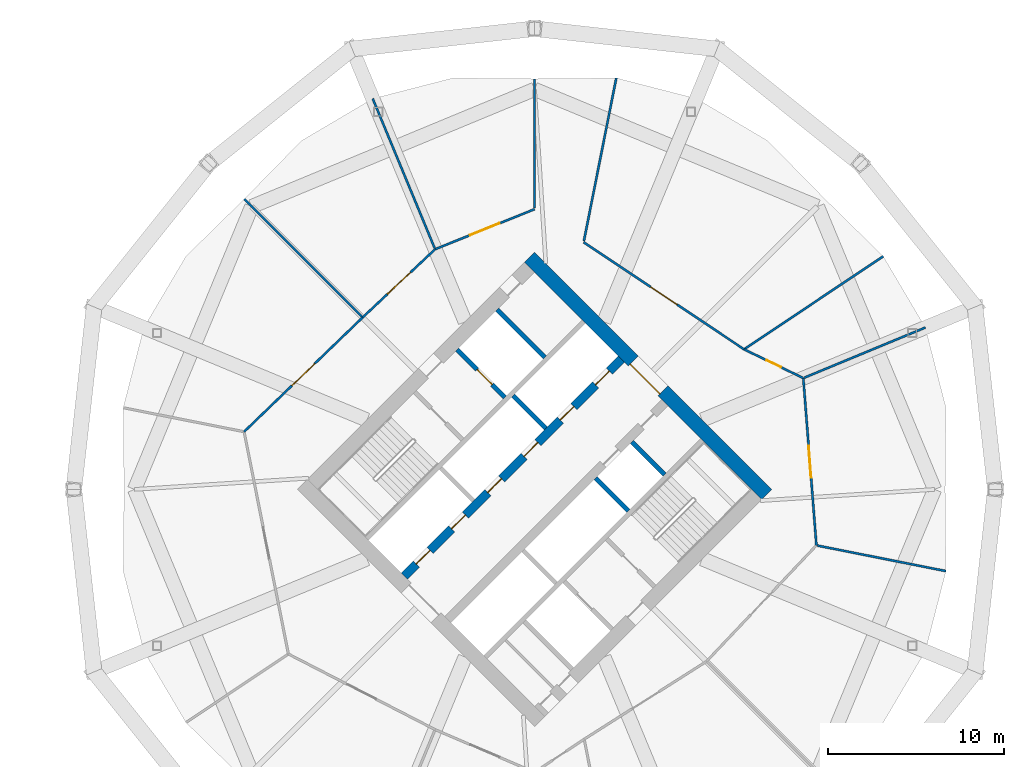
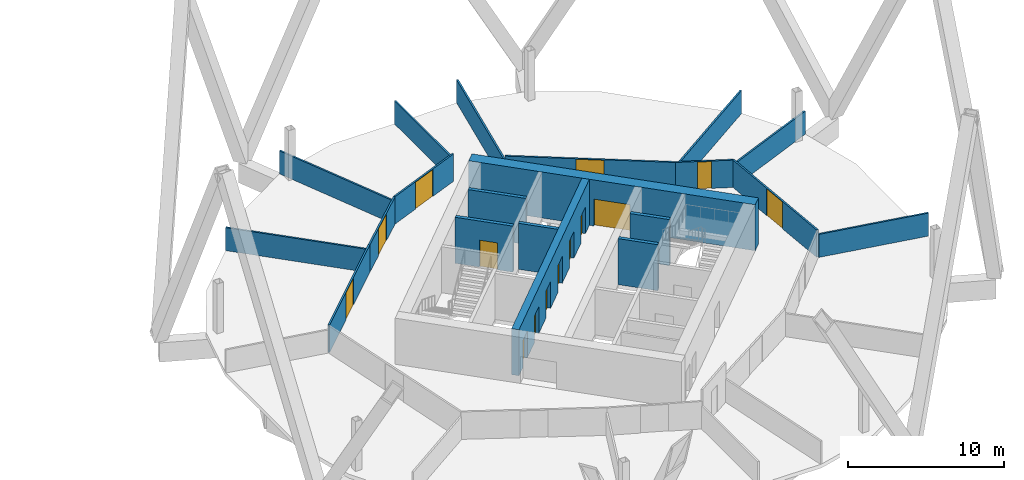
# One storey, part 7 of 9: 20 walls, 14 doors, 14 openings.
"""IFC4 building model written with IfcOpenShell, lengths in metres."""

from ifc_helpers import new_model, si_unit, direction, frame, frame_2d, origin, place, context, subcontext, project, spatial, rectangle, extrude, material, layer, layer_set, type_object, element, fill, save


model = new_model("IFC4")

# Units and contexts
model_context = context("Model", 3, precision=1e-05, world=origin(), true_north=direction((0.0, 1.0)))
body_context = subcontext(model_context, "Body", "Model", "MODEL_VIEW")
ifc_project = project(units=[si_unit("LENGTHUNIT", "METRE"), si_unit("AREAUNIT", "SQUARE_METRE"), si_unit("VOLUMEUNIT", "CUBIC_METRE"), si_unit("PLANEANGLEUNIT", "RADIAN"), si_unit("MASSUNIT", "GRAM", prefix="KILO")], contexts=[model_context])

# Site, building, storey
site_placement = place(None, origin())
site = spatial("IfcSite", under=ifc_project, at=site_placement, CompositionType="ELEMENT")
building_placement = place(site_placement, origin())
building = spatial("IfcBuilding", under=site, at=building_placement, Name="Ogive Gate Towers", CompositionType="ELEMENT")
storey_placement = place(building_placement, frame((0.0, 0.0, 95.699951171875)))
storey = spatial("IfcBuildingStorey", under=building, at=storey_placement, Name="L22", CompositionType="ELEMENT", Elevation=95.699951171875)

# Wall, opening, door
ifc_material_1 = material(Name="Concrete C60/75", Category="concrete")
ifc_layer_1 = layer(ifc_material_1, 0.800048828125)
ifc_layer_set_1 = layer_set([ifc_layer_1], Name="Core wall 800 mm")
wall_type_1 = type_object("IfcWallType", Name="Core wall 800 mm", PredefinedType="SHEAR", material=ifc_layer_set_1)
wall_1_placement = place(storey_placement, frame((49.152099609375, -0.28271484375, 0.0), z_axis=(0.0, 0.0, 1.0), x_axis=(-0.707106781187, 0.707106781187, 0.0)))
wall_1 = element("IfcWall", 1, at=wall_1_placement, inside=storey, type_object=wall_type_1, Name="T2 L22 Core wall 800 mm", PredefinedType="SHEAR", context=body_context, shape_type="SweptSolid", body=[
    extrude(rectangle(XDim=18.999755859375, YDim=0.800048828125, at=frame_2d((9.5, 0.0))), origin(), (0.0, 0.0, 1.0), 3.60009765625),
])
opening_1_placement = place(wall_1_placement, frame((8.300048828125, 0.0, 0.0)))
opening_1 = element("IfcOpeningElement", 2, at=opening_1_placement, cuts=wall_1, Name="Opening KD-T2-L22-02", PredefinedType="OPENING", context=body_context, shape_type="SweptSolid", body=[
    extrude(rectangle(XDim=2.39990234375, YDim=2.10009765625, at=frame_2d((1.199951171875, 1.050048828125))), frame((0.0, 0.41015625, 0.0), z_axis=(0.0, -1.0, 0.0), x_axis=(1.0, 0.0, 0.0)), (0.0, 0.0, 1.0), 0.820068359375),
])
ifc_material_2 = material(Name="Steel fire door", Category="steel")
door_type_1 = type_object("IfcDoorType", Name="Core double door FD60S 2400 x 2100", OperationType="DOUBLE_DOOR_SINGLE_SWING", PredefinedType="DOOR", material=ifc_material_2)
door_1_placement = place(opening_1_placement, origin())
door_1 = element("IfcDoor", 3, at=door_1_placement, inside=storey, type_object=door_type_1, Name="T2 L22 Core door double", OperationType="DOUBLE_DOOR_SINGLE_SWING", OverallHeight=2.10009765625, OverallWidth=2.39990234375, PredefinedType="DOOR", context=body_context, shape_type="SweptSolid", body=[
    extrude(rectangle(XDim=2.39990234375, YDim=2.10009765625, at=frame_2d((1.199951171875, 1.050048828125))), frame((0.0, 0.27490234375, 0.0), z_axis=(0.0, -1.0, 0.0), x_axis=(1.0, 0.0, 0.0)), (0.0, 0.0, 1.0), 0.050048828125),
])
fill(opening_1, door_1)

# Walls
ifc_material_3 = material(Name="Gypsum board partition")
ifc_layer_2 = layer(ifc_material_3, 0.125)
ifc_layer_set_2 = layer_set([ifc_layer_2], Name="Partition 125")
wall_type_2 = type_object("IfcWallType", Name="Partition 125", PredefinedType="PARTITIONING", material=ifc_layer_set_2)
wall_2_placement = place(storey_placement, frame((58.1455078125, 9.1728515625, 0.0), z_axis=(0.0, 0.0, 1.0), x_axis=(-0.923879380102, -0.382683800313, 0.0)))
element("IfcWall", 4, at=wall_2_placement, inside=storey, type_object=wall_type_2, Name="Partition T2-L22-001", PredefinedType="PARTITIONING", context=body_context, shape_type="SweptSolid", body=[
    extrude(rectangle(XDim=7.42529296875, YDim=0.125, at=frame_2d((3.712646484375, 0.0))), origin(), (0.0, 0.0, 1.0), 1.800048828125),
])
wall_3_placement = place(storey_placement, frame((55.759521484375, 13.2119140625, 0.0), z_axis=(0.0, 0.0, 1.0), x_axis=(-0.831300345147, -0.555823475717, 0.0)))
element("IfcWall", 5, at=wall_3_placement, inside=storey, type_object=wall_type_2, Name="Partition T2-L22-002", PredefinedType="PARTITIONING", context=body_context, shape_type="SweptSolid", body=[
    extrude(rectangle(XDim=9.42529296875, YDim=0.125, at=frame_2d((4.712646484375, 0.0))), origin(), (0.0, 0.0, 1.0), 1.800048828125),
])
wall_4_placement = place(storey_placement, frame((40.6298828125, 23.314208984375, 0.0), z_axis=(0.0, 0.0, 1.0), x_axis=(-0.194790915592, -0.980844788538, 0.0)))
element("IfcWall", 6, at=wall_4_placement, inside=storey, type_object=wall_type_2, Name="Partition T2-L22-003", PredefinedType="PARTITIONING", context=body_context, shape_type="SweptSolid", body=[
    extrude(rectangle(XDim=9.425048828125, YDim=0.125, at=frame_2d((4.71240234375, 0.0))), origin(), (0.0, 0.0, 1.0), 1.800048828125),
])
wall_5_placement = place(storey_placement, frame((36.0, 23.26904296875, 0.0), z_axis=(0.0, 0.0, 1.0), x_axis=(0.0, -1.0, 0.0)))
element("IfcWall", 7, at=wall_5_placement, inside=storey, type_object=wall_type_2, Name="Partition T2-L22-004", PredefinedType="PARTITIONING", context=body_context, shape_type="SweptSolid", body=[
    extrude(rectangle(XDim=7.32666015625, YDim=0.125, at=frame_2d((3.663330078125, 0.0))), origin(), (0.0, 0.0, 1.0), 1.800048828125),
])
wall_6_placement = place(storey_placement, frame((26.8271484375, 22.1455078125, 0.0), z_axis=(0.0, 0.0, 1.0), x_axis=(0.382685496895, -0.923878677352, 0.0)))
element("IfcWall", 8, at=wall_6_placement, inside=storey, type_object=wall_type_2, Name="Partition T2-L22-005", PredefinedType="PARTITIONING", context=body_context, shape_type="SweptSolid", body=[
    extrude(rectangle(XDim=9.17529296875, YDim=0.125, at=frame_2d((4.587646484375, 0.0))), origin(), (0.0, 0.0, 1.0), 1.800048828125),
])
wall_7_placement = place(storey_placement, frame((19.54638671875, 16.45361328125, 0.0), z_axis=(0.0, 0.0, 1.0), x_axis=(0.707106781187, -0.707106781187, 0.0)))
element("IfcWall", 9, at=wall_7_placement, inside=storey, type_object=wall_type_2, Name="Partition T2-L22-006", PredefinedType="PARTITIONING", context=body_context, shape_type="SweptSolid", body=[
    extrude(rectangle(XDim=9.425048828125, YDim=0.125, at=frame_2d((4.71240234375, 0.0))), origin(), (0.0, 0.0, 1.0), 1.800048828125),
])
wall_8_placement = place(storey_placement, frame((59.314208984375, -4.6298828125, 0.0), z_axis=(0.0, 0.0, 1.0), x_axis=(-0.980846602805, 0.19478177986, 0.0)))
element("IfcWall", 10, at=wall_8_placement, inside=storey, type_object=wall_type_2, Name="Partition T2-L22-013", PredefinedType="PARTITIONING", context=body_context, shape_type="SweptSolid", body=[
    extrude(rectangle(XDim=7.42529296875, YDim=0.125, at=frame_2d((3.712646484375, 0.0))), origin(), (0.0, 0.0, 1.0), 1.800048828125),
])

# Wall, opening, door
wall_9_placement = place(storey_placement, frame((36.0, 15.8798828125, 0.0), z_axis=(0.0, 0.0, 1.0), x_axis=(-0.927682193626, -0.373370791077, 0.0)))
wall_9 = element("IfcWall", 11, at=wall_9_placement, inside=storey, type_object=wall_type_2, Name="Partition T2-L22-014", PredefinedType="PARTITIONING", context=body_context, shape_type="SweptSolid", body=[
    extrude(rectangle(XDim=6.0771484375, YDim=0.125, at=frame_2d((3.03857421875, 0.0))), origin(), (0.0, 0.0, 1.0), 2.14013671875),
])
opening_2_placement = place(wall_9_placement, frame((2.138916015625, 0.0, 0.0)))
opening_2 = element("IfcOpeningElement", 12, at=opening_2_placement, cuts=wall_9, Name="Opening T2-L22-D01", PredefinedType="OPENING", context=body_context, shape_type="SweptSolid", body=[
    extrude(rectangle(XDim=1.800048828125, YDim=2.10009765625, at=frame_2d((0.89990234375, 1.050048828125))), frame((0.0, 0.072509765625, 0.0), z_axis=(0.0, -1.0, 0.0), x_axis=(1.0, 0.0, 0.0)), (0.0, 0.0, 1.0), 0.14501953125),
])
ifc_material_4 = material(Name="Timber door", Category="wood")
door_type_2 = type_object("IfcDoorType", Name="Door pair 1800", OperationType="NOTDEFINED", PredefinedType="DOOR", material=ifc_material_4)
door_2_placement = place(opening_2_placement, origin())
door_2 = element("IfcDoor", 13, at=door_2_placement, inside=storey, type_object=door_type_2, Name="Door T2-L22-D01", OperationType="DOUBLE_DOOR_DOUBLE_SWING", OverallHeight=2.10009765625, OverallWidth=1.800048828125, PredefinedType="DOOR", context=body_context, shape_type="SweptSolid", body=[
    extrude(rectangle(XDim=1.800048828125, YDim=2.10009765625, at=frame_2d((0.89990234375, 1.050048828125))), frame((0.0, 0.02490234375, 0.0), z_axis=(0.0, -1.0, 0.0), x_axis=(1.0, 0.0, 0.0)), (0.0, 0.0, 1.0), 0.050048828125),
])
fill(opening_2, door_2)

wall_10_placement = place(storey_placement, frame((30.3623046875, 13.61083984375, 0.0), z_axis=(0.0, 0.0, 1.0), x_axis=(-0.728165682311, -0.685401151958, 0.0)))
wall_10 = element("IfcWall", 14, at=wall_10_placement, inside=storey, type_object=wall_type_2, Name="Partition T2-L22-015", PredefinedType="PARTITIONING", context=body_context, shape_type="SweptSolid", body=[
    extrude(rectangle(XDim=5.640380859375, YDim=0.125, at=frame_2d((2.8203125, 0.0))), origin(), (0.0, 0.0, 1.0), 2.14013671875),
])
opening_3_placement = place(wall_10_placement, frame((1.919921875, 0.0, 0.0)))
opening_3 = element("IfcOpeningElement", 15, at=opening_3_placement, cuts=wall_10, Name="Opening T2-L22-D02", PredefinedType="OPENING", context=body_context, shape_type="SweptSolid", body=[
    extrude(rectangle(XDim=1.800048828125, YDim=2.10009765625, at=frame_2d((0.89990234375, 1.050048828125))), frame((0.0, 0.072509765625, 0.0), z_axis=(0.0, -1.0, 0.0), x_axis=(1.0, 0.0, 0.0)), (0.0, 0.0, 1.0), 0.14501953125),
])
door_3_placement = place(opening_3_placement, origin())
door_3 = element("IfcDoor", 16, at=door_3_placement, inside=storey, type_object=door_type_2, Name="Door T2-L22-D02", OperationType="DOUBLE_DOOR_DOUBLE_SWING", OverallHeight=2.10009765625, OverallWidth=1.800048828125, PredefinedType="DOOR", context=body_context, shape_type="SweptSolid", body=[
    extrude(rectangle(XDim=1.800048828125, YDim=2.10009765625, at=frame_2d((0.89990234375, 1.050048828125))), frame((0.0, 0.02490234375, 0.0), z_axis=(0.0, -1.0, 0.0), x_axis=(1.0, 0.0, 0.0)), (0.0, 0.0, 1.0), 0.050048828125),
])
fill(opening_3, door_3)

wall_11_placement = place(storey_placement, frame((26.255126953125, 9.744873046875, 0.0), z_axis=(0.0, 0.0, 1.0), x_axis=(-0.719826082496, -0.694154457566, 0.0)))
wall_11 = element("IfcWall", 17, at=wall_11_placement, inside=storey, type_object=wall_type_2, Name="Partition T2-L22-016", PredefinedType="PARTITIONING", context=body_context, shape_type="SweptSolid", body=[
    extrude(rectangle(XDim=9.329345703125, YDim=0.125, at=frame_2d((4.66455078125, 0.0))), origin(), (0.0, 0.0, 1.0), 2.14013671875),
])
opening_4_placement = place(wall_11_placement, frame((3.764892578125, 0.0, 0.0)))
opening_4 = element("IfcOpeningElement", 18, at=opening_4_placement, cuts=wall_11, Name="Opening T2-L22-D03", PredefinedType="OPENING", context=body_context, shape_type="SweptSolid", body=[
    extrude(rectangle(XDim=1.800048828125, YDim=2.10009765625, at=frame_2d((0.89990234375, 1.050048828125))), frame((0.0, 0.072509765625, 0.0), z_axis=(0.0, -1.0, 0.0), x_axis=(1.0, 0.0, 0.0)), (0.0, 0.0, 1.0), 0.14501953125),
])
door_4_placement = place(opening_4_placement, origin())
door_4 = element("IfcDoor", 19, at=door_4_placement, inside=storey, type_object=door_type_2, Name="Door T2-L22-D03", OperationType="DOUBLE_DOOR_DOUBLE_SWING", OverallHeight=2.10009765625, OverallWidth=1.800048828125, PredefinedType="DOOR", context=body_context, shape_type="SweptSolid", body=[
    extrude(rectangle(XDim=1.800048828125, YDim=2.10009765625, at=frame_2d((0.89990234375, 1.050048828125))), frame((0.0, 0.02490234375, 0.0), z_axis=(0.0, -1.0, 0.0), x_axis=(1.0, 0.0, 0.0)), (0.0, 0.0, 1.0), 0.050048828125),
])
fill(opening_4, door_4)

wall_12_placement = place(storey_placement, frame((51.969970703125, -3.17138671875, 0.0), z_axis=(0.0, 0.0, 1.0), x_axis=(-0.078084660051, 0.996946731709, 0.0)))
wall_12 = element("IfcWall", 20, at=wall_12_placement, inside=storey, type_object=wall_type_2, Name="Partition T2-L22-023", PredefinedType="PARTITIONING", context=body_context, shape_type="SweptSolid", body=[
    extrude(rectangle(XDim=9.508056640625, YDim=0.125, at=frame_2d((4.75390625, 0.0))), origin(), (0.0, 0.0, 1.0), 2.14013671875),
])
opening_5_placement = place(wall_12_placement, frame((3.85400390625, 0.0, 0.0)))
opening_5 = element("IfcOpeningElement", 21, at=opening_5_placement, cuts=wall_12, Name="Opening T2-L22-D10", PredefinedType="OPENING", context=body_context, shape_type="SweptSolid", body=[
    extrude(rectangle(XDim=1.800048828125, YDim=2.10009765625, at=frame_2d((0.89990234375, 1.050048828125))), frame((0.0, 0.072509765625, 0.0), z_axis=(0.0, -1.0, 0.0), x_axis=(1.0, 0.0, 0.0)), (0.0, 0.0, 1.0), 0.14501953125),
])
door_5_placement = place(opening_5_placement, origin())
door_5 = element("IfcDoor", 22, at=door_5_placement, inside=storey, type_object=door_type_2, Name="Door T2-L22-D10", OperationType="DOUBLE_DOOR_DOUBLE_SWING", OverallHeight=2.10009765625, OverallWidth=1.800048828125, PredefinedType="DOOR", context=body_context, shape_type="SweptSolid", body=[
    extrude(rectangle(XDim=1.800048828125, YDim=2.10009765625, at=frame_2d((0.89990234375, 1.050048828125))), frame((0.0, 0.02490234375, 0.0), z_axis=(0.0, -1.0, 0.0), x_axis=(1.0, 0.0, 0.0)), (0.0, 0.0, 1.0), 0.050048828125),
])
fill(opening_5, door_5)

wall_13_placement = place(storey_placement, frame((51.2275390625, 6.3076171875, 0.0), z_axis=(0.0, 0.0, 1.0), x_axis=(-0.89937142821, 0.43718535442, 0.0)))
wall_13 = element("IfcWall", 23, at=wall_13_placement, inside=storey, type_object=wall_type_2, Name="Partition T2-L22-024", PredefinedType="PARTITIONING", context=body_context, shape_type="SweptSolid", body=[
    extrude(rectangle(XDim=3.73046875, YDim=0.125, at=frame_2d((1.865234375, 0.0))), origin(), (0.0, 0.0, 1.0), 2.14013671875),
])
opening_6_placement = place(wall_13_placement, frame((1.4150390625, 0.0, 0.0)))
opening_6 = element("IfcOpeningElement", 24, at=opening_6_placement, cuts=wall_13, Name="Opening T2-L22-D11", PredefinedType="OPENING", context=body_context, shape_type="SweptSolid", body=[
    extrude(rectangle(XDim=0.89990234375, YDim=2.10009765625, at=frame_2d((0.449951171875, 1.050048828125))), frame((0.0, 0.072509765625, 0.0), z_axis=(0.0, -1.0, 0.0), x_axis=(1.0, 0.0, 0.0)), (0.0, 0.0, 1.0), 0.14501953125),
])
door_type_3 = type_object("IfcDoorType", Name="Door 900", OperationType="NOTDEFINED", PredefinedType="DOOR", material=ifc_material_4)
door_6_placement = place(opening_6_placement, origin())
door_6 = element("IfcDoor", 25, at=door_6_placement, inside=storey, type_object=door_type_3, Name="Door T2-L22-D11", OperationType="SINGLE_SWING_LEFT", OverallHeight=2.10009765625, OverallWidth=0.89990234375, PredefinedType="DOOR", context=body_context, shape_type="SweptSolid", body=[
    extrude(rectangle(XDim=0.89990234375, YDim=2.10009765625, at=frame_2d((0.449951171875, 1.050048828125))), frame((0.0, 0.02490234375, 0.0), z_axis=(0.0, -1.0, 0.0), x_axis=(1.0, 0.0, 0.0)), (0.0, 0.0, 1.0), 0.050048828125),
])
fill(opening_6, door_6)

wall_14_placement = place(storey_placement, frame((47.87255859375, 7.9384765625, 0.0), z_axis=(0.0, 0.0, 1.0), x_axis=(-0.831658368955, 0.555287634788, 0.0)))
wall_14 = element("IfcWall", 26, at=wall_14_placement, inside=storey, type_object=wall_type_2, Name="Partition T2-L22-025", PredefinedType="PARTITIONING", context=body_context, shape_type="SweptSolid", body=[
    extrude(rectangle(XDim=10.930908203125, YDim=0.125, at=frame_2d((5.46533203125, 0.0))), origin(), (0.0, 0.0, 1.0), 2.14013671875),
])
opening_7_placement = place(wall_14_placement, frame((4.56494140625, 0.0, 0.0)))
opening_7 = element("IfcOpeningElement", 27, at=opening_7_placement, cuts=wall_14, Name="Opening T2-L22-D12", PredefinedType="OPENING", context=body_context, shape_type="SweptSolid", body=[
    extrude(rectangle(XDim=1.800048828125, YDim=2.10009765625, at=frame_2d((0.89990234375, 1.050048828125))), frame((0.0, 0.072509765625, 0.0), z_axis=(0.0, -1.0, 0.0), x_axis=(1.0, 0.0, 0.0)), (0.0, 0.0, 1.0), 0.14501953125),
])
door_7_placement = place(opening_7_placement, origin())
door_7 = element("IfcDoor", 28, at=door_7_placement, inside=storey, type_object=door_type_2, Name="Door T2-L22-D12", OperationType="DOUBLE_DOOR_DOUBLE_SWING", OverallHeight=2.10009765625, OverallWidth=1.800048828125, PredefinedType="DOOR", context=body_context, shape_type="SweptSolid", body=[
    extrude(rectangle(XDim=1.800048828125, YDim=2.10009765625, at=frame_2d((0.89990234375, 1.050048828125))), frame((0.0, 0.02490234375, 0.0), z_axis=(0.0, -1.0, 0.0), x_axis=(1.0, 0.0, 0.0)), (0.0, 0.0, 1.0), 0.050048828125),
])
fill(opening_7, door_7)

ifc_layer_3 = layer(ifc_material_1, 0.25)
ifc_layer_set_3 = layer_set([ifc_layer_3], Name="Shaft wall 250 mm")
wall_type_3 = type_object("IfcWallType", Name="Shaft wall 250 mm", PredefinedType="SHEAR", material=ifc_layer_set_3)
wall_15_placement = place(storey_placement, frame((34.320556640625, 5.21484375, 0.0), z_axis=(0.0, 0.0, 1.0), x_axis=(-0.707074866995, 0.707138693938, 0.0)))
wall_15 = element("IfcWall", 29, at=wall_15_placement, inside=storey, type_object=wall_type_3, Name="T2 L22 Shaft wall 250 mm", PredefinedType="SHEAR", context=body_context, shape_type="SweptSolid", body=[
    extrude(rectangle(XDim=3.824951171875, YDim=0.25, at=frame_2d((1.91259765625, 0.0))), origin(), (0.0, 0.0, 1.0), 3.60009765625),
])
opening_8_placement = place(wall_15_placement, frame((1.02490234375, 0.0, 0.0)))
opening_8 = element("IfcOpeningElement", 30, at=opening_8_placement, cuts=wall_15, Name="Opening LD-T2-L22-10", PredefinedType="OPENING", context=body_context, shape_type="SweptSolid", body=[
    extrude(rectangle(XDim=1.199951171875, YDim=2.10009765625, at=frame_2d((0.60009765625, 1.050048828125))), frame((0.0, 0.135009765625, 0.0), z_axis=(0.0, -1.0, 0.0), x_axis=(1.0, 0.0, 0.0)), (0.0, 0.0, 1.0), 0.27001953125),
])
ifc_material_5 = material(Name="Stainless steel landing door", Category="steel")
door_type_4 = type_object("IfcDoorType", Name="Landing door 1200 x 2100", OperationType="SLIDING_TO_LEFT", PredefinedType="DOOR", material=ifc_material_5)
door_8_placement = place(opening_8_placement, origin())
door_8 = element("IfcDoor", 31, at=door_8_placement, inside=storey, type_object=door_type_4, Name="T2 L22 Lift landing door FF1", OperationType="SLIDING_TO_LEFT", OverallHeight=2.10009765625, OverallWidth=1.199951171875, PredefinedType="DOOR", context=body_context, shape_type="SweptSolid", body=[
    extrude(rectangle(XDim=1.199951171875, YDim=2.10009765625, at=frame_2d((0.60009765625, 1.050048828125))), frame((0.0, 0.02490234375, 0.0), z_axis=(0.0, -1.0, 0.0), x_axis=(1.0, 0.0, 0.0)), (0.0, 0.0, 1.0), 0.050048828125),
])
fill(opening_8, door_8)

# Walls
for number, where, z_axis, x_axis, name in (
    (32, (41.321044921875, -1.2197265625, 0.0), (0.0, 0.0, 1.0), (-0.707106781187, 0.707106781187, 0.0), "T2 L22 Shaft wall 250 mm"),
    (33, (36.636474609375, 3.46484375, 0.0), (0.0, 0.0, 1.0), (-0.707106781187, 0.707106781187, 0.0), "T2 L22 Shaft wall 250 mm"),
):
    element("IfcWall", number, at=place(storey_placement, frame(where, z_axis=z_axis, x_axis=x_axis)), inside=storey, type_object=wall_type_3, Name=name, PredefinedType="SHEAR", context=body_context, shape_type="SweptSolid", body=[
        extrude(rectangle(XDim=2.625, YDim=0.25, at=frame_2d((1.3125, 0.0))), origin(), (0.0, 0.0, 1.0), 3.60009765625),
    ])
wall_16_placement = place(storey_placement, frame((36.58349609375, 7.477783203125, 0.0), z_axis=(0.0, 0.0, 1.0), x_axis=(-0.707138693938, 0.707074866995, 0.0)))
element("IfcWall", 34, at=wall_16_placement, inside=storey, type_object=wall_type_3, Name="T2 L22 Shaft wall 250 mm", PredefinedType="SHEAR", context=body_context, shape_type="SweptSolid", body=[
    extrude(rectangle(XDim=3.824951171875, YDim=0.25, at=frame_2d((1.91259765625, 0.0))), origin(), (0.0, 0.0, 1.0), 3.60009765625),
])
wall_17_placement = place(storey_placement, frame((43.37158203125, 0.830810546875, 0.0), z_axis=(0.0, 0.0, 1.0), x_axis=(-0.707106781187, 0.707106781187, 0.0)))
element("IfcWall", 35, at=wall_17_placement, inside=storey, type_object=wall_type_3, Name="T2 L22 Shaft wall 250 mm", PredefinedType="SHEAR", context=body_context, shape_type="SweptSolid", body=[
    extrude(rectangle(XDim=2.625, YDim=0.25, at=frame_2d((1.3125, 0.0))), origin(), (0.0, 0.0, 1.0), 3.60009765625),
])

# Wall, openings, doors
ifc_layer_4 = layer(ifc_material_1, 0.5)
ifc_layer_set_4 = layer_set([ifc_layer_4], Name="Spine wall 500 mm")
wall_type_4 = type_object("IfcWallType", Name="Spine wall 500 mm", PredefinedType="SHEAR", material=ifc_layer_set_4)
wall_18_placement = place(storey_placement, frame((28.610595703125, -4.914306640625, 0.0), z_axis=(0.0, 0.0, 1.0), x_axis=(0.707106781187, 0.707106781187, 0.0)))
wall_18 = element("IfcWall", 36, at=wall_18_placement, inside=storey, type_object=wall_type_4, Name="T2 L22 Spine wall 500 mm", PredefinedType="SHEAR", context=body_context, shape_type="SweptSolid", body=[
    extrude(rectangle(XDim=17.400146484375, YDim=0.5, at=frame_2d((8.7001953125, 0.0))), origin(), (0.0, 0.0, 1.0), 3.60009765625),
])
opening_9_placement = place(wall_18_placement, frame((0.96240234375, 0.0, 0.0)))
opening_9 = element("IfcOpeningElement", 37, at=opening_9_placement, cuts=wall_18, Name="Opening LD-T2-L22-03", PredefinedType="OPENING", context=body_context, shape_type="SweptSolid", body=[
    extrude(rectangle(XDim=1.10009765625, YDim=2.10009765625, at=frame_2d((0.550048828125, 1.050048828125))), frame((0.0, 0.260009765625, 0.0), z_axis=(0.0, -1.0, 0.0), x_axis=(1.0, 0.0, 0.0)), (0.0, 0.0, 1.0), 0.52001953125),
])
opening_10_placement = place(wall_18_placement, frame((3.800048828125, 0.0, 0.0)))
opening_10 = element("IfcOpeningElement", 38, at=opening_10_placement, cuts=wall_18, Name="Opening LD-T2-L22-04", PredefinedType="OPENING", context=body_context, shape_type="SweptSolid", body=[
    extrude(rectangle(XDim=1.10009765625, YDim=2.10009765625, at=frame_2d((0.550048828125, 1.050048828125))), frame((0.0, 0.260009765625, 0.0), z_axis=(0.0, -1.0, 0.0), x_axis=(1.0, 0.0, 0.0)), (0.0, 0.0, 1.0), 0.52001953125),
])
opening_11_placement = place(wall_18_placement, frame((6.699951171875, 0.0, 0.0)))
opening_11 = element("IfcOpeningElement", 39, at=opening_11_placement, cuts=wall_18, Name="Opening LD-T2-L22-05", PredefinedType="OPENING", context=body_context, shape_type="SweptSolid", body=[
    extrude(rectangle(XDim=1.10009765625, YDim=2.10009765625, at=frame_2d((0.550048828125, 1.050048828125))), frame((0.0, 0.260009765625, 0.0), z_axis=(0.0, -1.0, 0.0), x_axis=(1.0, 0.0, 0.0)), (0.0, 0.0, 1.0), 0.52001953125),
])
opening_12_placement = place(wall_18_placement, frame((9.60009765625, 0.0, 0.0)))
opening_12 = element("IfcOpeningElement", 40, at=opening_12_placement, cuts=wall_18, Name="Opening LD-T2-L22-06", PredefinedType="OPENING", context=body_context, shape_type="SweptSolid", body=[
    extrude(rectangle(XDim=1.10009765625, YDim=2.10009765625, at=frame_2d((0.550048828125, 1.050048828125))), frame((0.0, 0.260009765625, 0.0), z_axis=(0.0, -1.0, 0.0), x_axis=(1.0, 0.0, 0.0)), (0.0, 0.0, 1.0), 0.52001953125),
])
opening_13_placement = place(wall_18_placement, frame((12.5, 0.0, 0.0)))
opening_13 = element("IfcOpeningElement", 41, at=opening_13_placement, cuts=wall_18, Name="Opening LD-T2-L22-07", PredefinedType="OPENING", context=body_context, shape_type="SweptSolid", body=[
    extrude(rectangle(XDim=1.10009765625, YDim=2.10009765625, at=frame_2d((0.550048828125, 1.050048828125))), frame((0.0, 0.260009765625, 0.0), z_axis=(0.0, -1.0, 0.0), x_axis=(1.0, 0.0, 0.0)), (0.0, 0.0, 1.0), 0.52001953125),
])
opening_14_placement = place(wall_18_placement, frame((15.33740234375, 0.0, 0.0)))
opening_14 = element("IfcOpeningElement", 42, at=opening_14_placement, cuts=wall_18, Name="Opening LD-T2-L22-08", PredefinedType="OPENING", context=body_context, shape_type="SweptSolid", body=[
    extrude(rectangle(XDim=1.10009765625, YDim=2.10009765625, at=frame_2d((0.550048828125, 1.050048828125))), frame((0.0, 0.260009765625, 0.0), z_axis=(0.0, -1.0, 0.0), x_axis=(1.0, 0.0, 0.0)), (0.0, 0.0, 1.0), 0.52001953125),
])
door_type_5 = type_object("IfcDoorType", Name="Landing door 1100 x 2100", OperationType="SLIDING_TO_LEFT", PredefinedType="DOOR", material=ifc_material_5)
door_9_placement = place(opening_9_placement, origin())
door_9 = element("IfcDoor", 43, at=door_9_placement, inside=storey, type_object=door_type_5, Name="T2 L22 Lift landing door A1", OperationType="SLIDING_TO_LEFT", OverallHeight=2.10009765625, OverallWidth=1.10009765625, PredefinedType="DOOR", context=body_context, shape_type="SweptSolid", body=[
    extrude(rectangle(XDim=1.10009765625, YDim=2.10009765625, at=frame_2d((0.550048828125, 1.050048828125))), frame((0.0, 0.02490234375, 0.0), z_axis=(0.0, -1.0, 0.0), x_axis=(1.0, 0.0, 0.0)), (0.0, 0.0, 1.0), 0.050048828125),
])
fill(opening_9, door_9)
door_10_placement = place(opening_10_placement, origin())
door_10 = element("IfcDoor", 44, at=door_10_placement, inside=storey, type_object=door_type_5, Name="T2 L22 Lift landing door A2", OperationType="SLIDING_TO_LEFT", OverallHeight=2.10009765625, OverallWidth=1.10009765625, PredefinedType="DOOR", context=body_context, shape_type="SweptSolid", body=[
    extrude(rectangle(XDim=1.10009765625, YDim=2.10009765625, at=frame_2d((0.550048828125, 1.050048828125))), frame((0.0, 0.02490234375, 0.0), z_axis=(0.0, -1.0, 0.0), x_axis=(1.0, 0.0, 0.0)), (0.0, 0.0, 1.0), 0.050048828125),
])
fill(opening_10, door_10)
door_11_placement = place(opening_11_placement, origin())
door_11 = element("IfcDoor", 45, at=door_11_placement, inside=storey, type_object=door_type_5, Name="T2 L22 Lift landing door A3", OperationType="SLIDING_TO_LEFT", OverallHeight=2.10009765625, OverallWidth=1.10009765625, PredefinedType="DOOR", context=body_context, shape_type="SweptSolid", body=[
    extrude(rectangle(XDim=1.10009765625, YDim=2.10009765625, at=frame_2d((0.550048828125, 1.050048828125))), frame((0.0, 0.02490234375, 0.0), z_axis=(0.0, -1.0, 0.0), x_axis=(1.0, 0.0, 0.0)), (0.0, 0.0, 1.0), 0.050048828125),
])
fill(opening_11, door_11)
door_12_placement = place(opening_12_placement, origin())
door_12 = element("IfcDoor", 46, at=door_12_placement, inside=storey, type_object=door_type_5, Name="T2 L22 Lift landing door A4", OperationType="SLIDING_TO_LEFT", OverallHeight=2.10009765625, OverallWidth=1.10009765625, PredefinedType="DOOR", context=body_context, shape_type="SweptSolid", body=[
    extrude(rectangle(XDim=1.10009765625, YDim=2.10009765625, at=frame_2d((0.550048828125, 1.050048828125))), frame((0.0, 0.02490234375, 0.0), z_axis=(0.0, -1.0, 0.0), x_axis=(1.0, 0.0, 0.0)), (0.0, 0.0, 1.0), 0.050048828125),
])
fill(opening_12, door_12)
door_13_placement = place(opening_13_placement, origin())
door_13 = element("IfcDoor", 47, at=door_13_placement, inside=storey, type_object=door_type_5, Name="T2 L22 Lift landing door A5", OperationType="SLIDING_TO_LEFT", OverallHeight=2.10009765625, OverallWidth=1.10009765625, PredefinedType="DOOR", context=body_context, shape_type="SweptSolid", body=[
    extrude(rectangle(XDim=1.10009765625, YDim=2.10009765625, at=frame_2d((0.550048828125, 1.050048828125))), frame((0.0, 0.02490234375, 0.0), z_axis=(0.0, -1.0, 0.0), x_axis=(1.0, 0.0, 0.0)), (0.0, 0.0, 1.0), 0.050048828125),
])
fill(opening_13, door_13)
door_14_placement = place(opening_14_placement, origin())
door_14 = element("IfcDoor", 48, at=door_14_placement, inside=storey, type_object=door_type_5, Name="T2 L22 Lift landing door A6", OperationType="SLIDING_TO_LEFT", OverallHeight=2.10009765625, OverallWidth=1.10009765625, PredefinedType="DOOR", context=body_context, shape_type="SweptSolid", body=[
    extrude(rectangle(XDim=1.10009765625, YDim=2.10009765625, at=frame_2d((0.550048828125, 1.050048828125))), frame((0.0, 0.02490234375, 0.0), z_axis=(0.0, -1.0, 0.0), x_axis=(1.0, 0.0, 0.0)), (0.0, 0.0, 1.0), 0.050048828125),
])
fill(opening_14, door_14)

save(model, "model.ifc")
